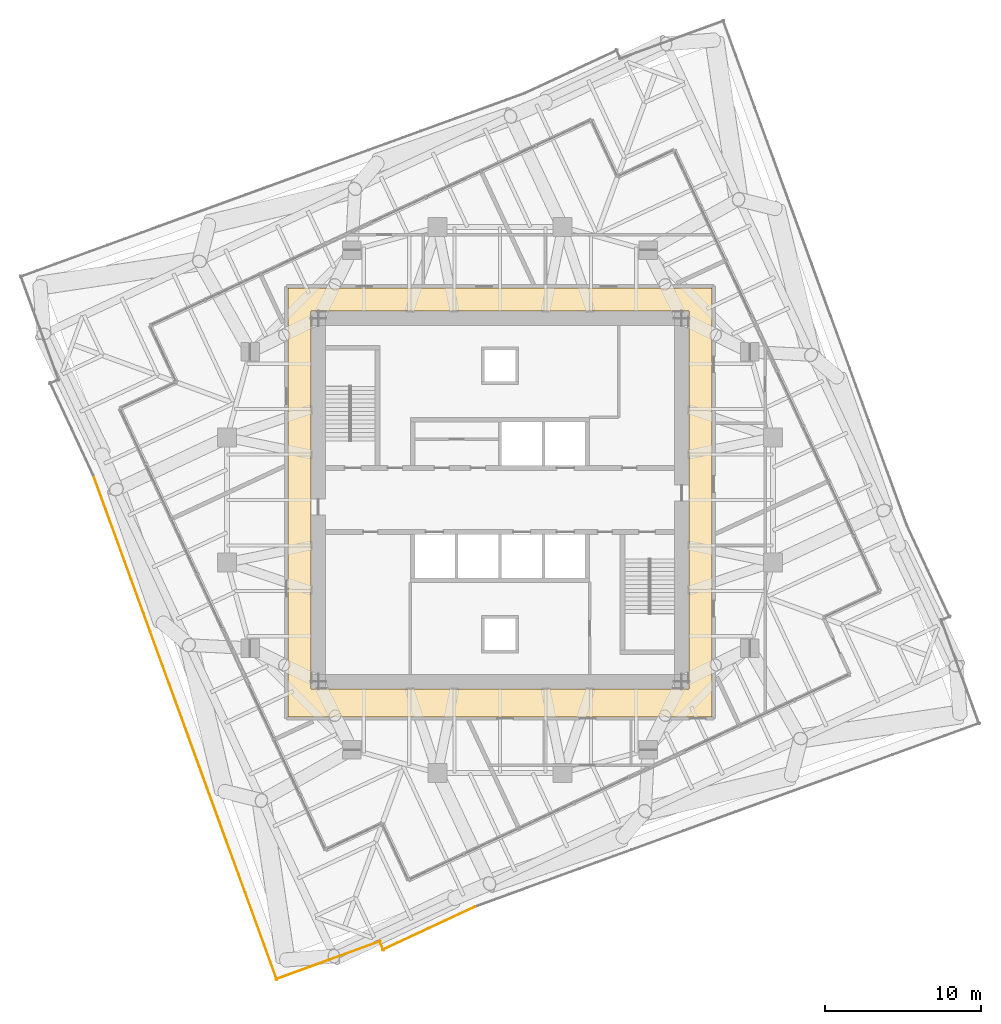
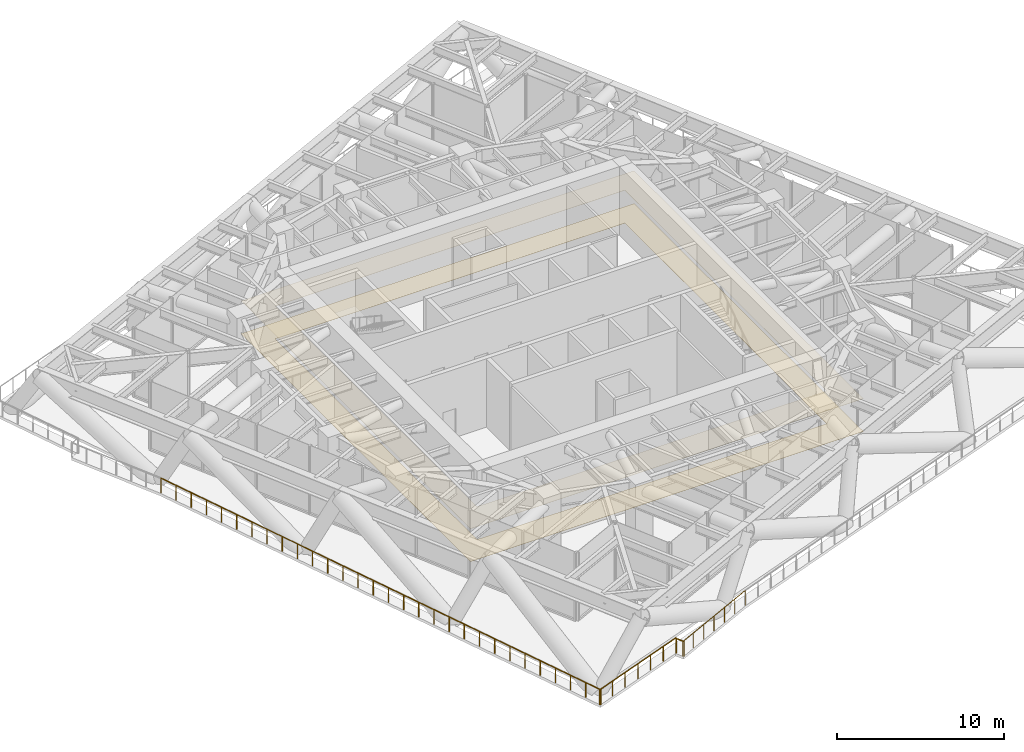
# One storey, part 13 of 16: 4 railings, 2 coverings.
"""IFC4 building model written with IfcOpenShell, lengths in metres."""

import ifcopenshell
import ifcopenshell.guid

model = None  # the IFC model being written
_history = None  # IfcOwnerHistory: only IFC2X3 demands one
_inside = {}  # id of a spatial element -> (the spatial element, [elements in it])
_under = {}  # id of a project, library or spatial element -> (it, [spatial elements below it])
_declared = {}  # id of a project -> (the project, [libraries it declares])
_typed = {}  # id of a type object -> (the type object, [elements of that type])
_made_of = {}  # id of a material, layer set ... -> (it, [elements and type objects made of it])


def new_model(schema):
    """Start an empty IFC model of exactly this schema.

    Asked for "IFC4X3", IfcOpenShell would pick the latest addendum, in which some entities
    have other attributes; the version numbers below select the first issue.
    IFC2X3 requires an IfcOwnerHistory on every rooted entity: one is made here for all.
    """
    global model, _history
    if schema == "IFC4X3":
        model = ifcopenshell.file(schema_version=(4, 3, 0, 0))
    else:
        model = ifcopenshell.file(schema=schema)
    _inside.clear()
    _under.clear()
    _declared.clear()
    _typed.clear()
    _made_of.clear()
    _history = None
    if model.schema == "IFC2X3":
        org = make("IfcOrganization", Name="unknown")
        user = make(
            "IfcPersonAndOrganization",
            ThePerson=make("IfcPerson", FamilyName="unknown"),
            TheOrganization=org,
        )
        app = make(
            "IfcApplication",
            ApplicationDeveloper=org,
            Version="unknown",
            ApplicationFullName="unknown",
            ApplicationIdentifier="unknown",
        )
        _history = make(
            "IfcOwnerHistory",
            OwningUser=user,
            OwningApplication=app,
            ChangeAction="ADDED",
            CreationDate=0,
        )
    return model


def make(cls, **values):
    """One entity of the class cls with the attributes given. An attribute that is None is left unset."""
    return model.create_entity(
        cls, **{name: value for name, value in values.items() if value is not None}
    )


def rooted(cls, **values):
    """An entity with a GlobalId (a new one), such as an element, a storey or a relation."""
    return make(cls, GlobalId=ifcopenshell.guid.new(), OwnerHistory=_history, **values)


def si_unit(unit_type, name, prefix=None):
    """IfcSIUnit, for example si_unit("LENGTHUNIT", "METRE", prefix="MILLI")."""
    return make("IfcSIUnit", UnitType=unit_type, Prefix=prefix, Name=name)


def assignment(units):
    """IfcUnitAssignment: the units of a project."""
    return None if units is None else make("IfcUnitAssignment", Units=units)


def point(xyz):
    """IfcCartesianPoint."""
    return None if xyz is None else make("IfcCartesianPoint", Coordinates=xyz)


def direction(xyz):
    """IfcDirection."""
    return None if xyz is None else make("IfcDirection", DirectionRatios=xyz)


def frame(location, z_axis=None, x_axis=None):
    """IfcAxis2Placement3D, a coordinate frame: its origin and axes. An axis left out is left unset."""
    return make(
        "IfcAxis2Placement3D",
        Location=point(location),
        Axis=direction(z_axis),
        RefDirection=direction(x_axis),
    )


def frame_2d(location, x_axis=None):
    """IfcAxis2Placement2D, a coordinate frame in the plane: its origin and x axis."""
    return make(
        "IfcAxis2Placement2D", Location=point(location), RefDirection=direction(x_axis)
    )


def origin():
    """The frame at (0, 0, 0) with its axes left unset."""
    return frame((0.0, 0.0, 0.0))


def origin_2d():
    """The frame at (0, 0) in the plane with its x axis left unset."""
    return frame_2d((0.0, 0.0))


def place(relative_to, where):
    """IfcLocalPlacement: puts the frame where relative to a parent placement (None: the world)."""
    return make(
        "IfcLocalPlacement", PlacementRelTo=relative_to, RelativePlacement=where
    )


def context(
    kind, dimensions, precision=None, world=None, true_north=None, identifier=None
):
    """IfcGeometricRepresentationContext, for example the 3D "Model" context."""
    return make(
        "IfcGeometricRepresentationContext",
        ContextIdentifier=identifier,
        ContextType=kind,
        CoordinateSpaceDimension=dimensions,
        Precision=precision,
        WorldCoordinateSystem=world,
        TrueNorth=true_north,
    )


def subcontext(parent, identifier, kind, view, scale=None):
    """IfcGeometricRepresentationSubContext, for example "Body" below "Model"."""
    return make(
        "IfcGeometricRepresentationSubContext",
        ContextIdentifier=identifier,
        ContextType=kind,
        ParentContext=parent,
        TargetScale=scale,
        TargetView=view,
    )


def project(units=None, contexts=None):
    """IfcProject with its units and contexts."""
    return rooted(
        "IfcProject",
        Name="project",
        RepresentationContexts=contexts,
        UnitsInContext=assignment(units),
    )


def spatial(cls, under=None, at=None, **own):
    """A site, building, storey or space (cls), placed at a placement, below another one or the project."""
    s = rooted(cls, ObjectPlacement=at, **own)
    if under is not None:
        _under.setdefault(under.id(), (under, []))[1].append(s)
    return s


def polyline(points):
    """IfcPolyline through the points."""
    return make("IfcPolyline", Points=[point(p) for p in points])


def profile(cls, at=None, kind="AREA", **sizes):
    """A parametric profile (cls). Its sizes go by their IFC names, for example OverallWidth=200.0."""
    return make(cls, ProfileType=kind, Position=at, **sizes)


def circle(**sizes):
    """IfcCircleProfileDef."""
    return profile("IfcCircleProfileDef", **sizes)


def outline(outer, holes=None, kind="AREA"):
    """IfcArbitraryClosedProfileDef: a profile drawn as a closed curve; with holes, ...WithVoids."""
    if holes is None:
        return make("IfcArbitraryClosedProfileDef", ProfileType=kind, OuterCurve=outer)
    return make(
        "IfcArbitraryProfileDefWithVoids",
        ProfileType=kind,
        OuterCurve=outer,
        InnerCurves=holes,
    )


def extrude(swept, where, along, depth):
    """IfcExtrudedAreaSolid: the profile swept, set in the frame where, extruded along a direction by depth."""
    return make(
        "IfcExtrudedAreaSolid",
        SweptArea=swept,
        Position=where,
        ExtrudedDirection=direction(along),
        Depth=depth,
    )


def shape(context_of_items, identifier, shape_type, items):
    """IfcShapeRepresentation: the items that make up one representation, for example the "Body"."""
    return make(
        "IfcShapeRepresentation",
        ContextOfItems=context_of_items,
        RepresentationIdentifier=identifier,
        RepresentationType=shape_type,
        Items=items,
    )


def material(Name=None, Category=None):
    """IfcMaterial."""
    return make("IfcMaterial", Name=Name, Category=Category)


def layer(
    of_material, thickness, ventilated=None, Name=None, Category=None, Priority=None
):
    """IfcMaterialLayer: one layer of a wall or slab, of a material (None: an air gap)."""
    return make(
        "IfcMaterialLayer",
        Material=of_material,
        LayerThickness=thickness,
        IsVentilated=ventilated,
        Name=Name,
        Category=Category,
        Priority=Priority,
    )


def layer_set(layers, Name=None):
    """IfcMaterialLayerSet."""
    return make("IfcMaterialLayerSet", MaterialLayers=layers, LayerSetName=Name)


def made_of(thing, what):
    """Note that an element or type object is made of a material, layer set ...; save() writes the relation."""
    if what is not None:
        _made_of.setdefault(what.id(), (what, []))[1].append(thing)
    return thing


def type_object(cls, material=None, **own):
    """A type object (cls), such as IfcWallType, which elements share."""
    return made_of(rooted(cls, **own), material)


def element(
    cls,
    number,
    at=None,
    inside=None,
    cuts=None,
    type_object=None,
    material=None,
    context=None,
    identifier="Body",
    shape_type=None,
    held_by="IfcProductDefinitionShape",
    body=None,
    shapes=None,
    **own,
):
    """One element of the class cls, such as IfcWall. Its Tag is "e" and its number.

    at: its placement. inside: the storey or other place that contains it. cuts: it is an
    opening in that element (IfcRelVoidsElement). A single representation is given by context,
    identifier, shape_type and body (its items); several are given by shapes. held_by: the class
    of the entity that holds the representations. save() writes the other relations.
    """
    e = rooted(cls, Tag="e%d" % number, ObjectPlacement=at, **own)
    if body is not None:
        shapes = [shape(context, identifier, shape_type, body)]
    if shapes is not None:
        e.Representation = make(held_by, Representations=shapes)
    if inside is not None:
        _inside.setdefault(inside.id(), (inside, []))[1].append(e)
    if cuts is not None:
        rooted(
            "IfcRelVoidsElement", RelatingBuildingElement=cuts, RelatedOpeningElement=e
        )
    if type_object is not None:
        _typed.setdefault(type_object.id(), (type_object, []))[1].append(e)
    return made_of(e, material)


def aggregate(whole, parts):
    """IfcRelAggregates: a whole, such as a stair, and the parts it consists of."""
    return rooted("IfcRelAggregates", RelatingObject=whole, RelatedObjects=parts)


def save(model, path):
    """Write the relations noted so far, then the file.

    IfcRelAggregates (storeys below a building ...), IfcRelContainedInSpatialStructure (elements
    in a storey), IfcRelDefinesByType, IfcRelAssociatesMaterial and IfcRelDeclares: one each for
    every whole, place, type object, material and project.
    """
    for whole, parts in _under.values():
        aggregate(whole, parts)
    for where, things in _inside.values():
        rooted(
            "IfcRelContainedInSpatialStructure",
            RelatedElements=things,
            RelatingStructure=where,
        )
    for kind, things in _typed.values():
        rooted("IfcRelDefinesByType", RelatedObjects=things, RelatingType=kind)
    for what, things in _made_of.values():
        rooted("IfcRelAssociatesMaterial", RelatedObjects=things, RelatingMaterial=what)
    for by, libraries in _declared.values():
        rooted("IfcRelDeclares", RelatingContext=by, RelatedDefinitions=libraries)
    model.write(path)


model = new_model("IFC4")

# Units and contexts
model_context = context("Model", 3, precision=1e-05, world=origin(), true_north=direction((0.0, 1.0)))
body_context = subcontext(model_context, "Body", "Model", "MODEL_VIEW")
ifc_project = project(units=[si_unit("LENGTHUNIT", "METRE"), si_unit("AREAUNIT", "SQUARE_METRE"), si_unit("VOLUMEUNIT", "CUBIC_METRE"), si_unit("PLANEANGLEUNIT", "RADIAN"), si_unit("MASSUNIT", "GRAM", prefix="KILO")], contexts=[model_context])

# Site, building, storey
site_placement = place(None, origin())
site = spatial("IfcSite", under=ifc_project, at=site_placement, CompositionType="ELEMENT")
building_placement = place(site_placement, origin())
building = spatial("IfcBuilding", under=site, at=building_placement, Name="Torsade Residences", CompositionType="ELEMENT")
storey_placement = place(building_placement, frame((0.0, 0.0, 171.0)))
storey = spatial("IfcBuildingStorey", under=building, at=storey_placement, Name="L47", CompositionType="ELEMENT", Elevation=171.0)

# Coverings
ifc_material_1 = material(Name="Nylon carpet tile on underlay", Category="textile")
ifc_layer_1 = layer(ifc_material_1, 0.010009765625)
ifc_layer_set_1 = layer_set([ifc_layer_1], Name="Nylon carpet tile on underlay")
covering_type_1 = type_object("IfcCoveringType", Name="CORRIDOR CARPET TILE 10", PredefinedType="FLOORING", material=ifc_layer_set_1)
covering_1_placement = place(storey_placement, origin())
element("IfcCovering", 1, at=covering_1_placement, inside=storey, type_object=covering_type_1, Name="Corridor carpet L47", PredefinedType="FLOORING", context=body_context, shape_type="SweptSolid", body=[
    extrude(outline(polyline([(26.39990234375, 16.10009765625), (53.60009765625, 16.10009765625), (53.60009765625, 43.60009765625), (26.39990234375, 43.60009765625), (26.39990234375, 16.10009765625)]), holes=[polyline([(27.89990234375, 42.10009765625), (27.89990234375, 17.89990234375), (52.10009765625, 17.89990234375), (52.10009765625, 42.10009765625), (27.89990234375, 42.10009765625)])]), origin(), (0.0, 0.0, 1.0), 0.010009765625),
])
ifc_material_2 = material(Name="Plasterboard on suspended steel grid", Category="steel")
ifc_layer_2 = layer(ifc_material_2, 0.012939453125)
ifc_layer_set_2 = layer_set([ifc_layer_2], Name="Plasterboard on suspended steel grid")
covering_type_2 = type_object("IfcCoveringType", Name="CORRIDOR SUSPENDED CEILING 13", PredefinedType="CEILING", material=ifc_layer_set_2)
covering_2_placement = place(storey_placement, frame((0.0, 0.0, 2.39990234375)))
element("IfcCovering", 2, at=covering_2_placement, inside=storey, type_object=covering_type_2, Name="Corridor ceiling L47", PredefinedType="CEILING", context=body_context, shape_type="SweptSolid", body=[
    extrude(outline(polyline([(26.39990234375, 16.10009765625), (53.60009765625, 16.10009765625), (53.60009765625, 43.60009765625), (26.39990234375, 43.60009765625), (26.39990234375, 16.10009765625)]), holes=[polyline([(27.89990234375, 42.10009765625), (27.89990234375, 17.89990234375), (52.10009765625, 17.89990234375), (52.10009765625, 42.10009765625), (27.89990234375, 42.10009765625)])]), origin(), (0.0, 0.0, 1.0), 0.01318359375),
])

# Railings
ifc_material_3 = material(Name="Galvanised steel guard rail", Category="steel")
railing_type = type_object("IfcRailingType", Name="ROOF EDGE GUARD 1100", PredefinedType="GUARDRAIL", material=ifc_material_3)
railing_1_placement = place(storey_placement, frame((32.304443359375, 1.663330078125, 0.0)))
element("IfcRailing", 3, at=railing_1_placement, inside=storey, type_object=railing_type, Name="Roof edge guard L47 1", PredefinedType="GUARDRAIL", context=body_context, shape_type="SweptSolid", body=[
    extrude(circle(Radius=0.02392578125, at=origin_2d()), frame((0.0, 0.0, 1.076171875), z_axis=(0.422744915894, -0.90624871646, 0.0), x_axis=(0.90624871646, 0.422744915894, 0.0)), (0.0, 0.0, 1.0), 0.570556640625),
    extrude(circle(Radius=0.02099609375, at=origin_2d()), origin(), (0.0, 0.0, 1.0), 1.052001953125),
    extrude(circle(Radius=0.02099609375, at=origin_2d()), frame((0.2412109375, -0.51708984375, 0.0)), (0.0, 0.0, 1.0), 1.052001953125),
])
railing_2_placement = place(storey_placement, frame((32.479248046875, 1.17041015625, 0.0)))
element("IfcRailing", 4, at=railing_2_placement, inside=storey, type_object=railing_type, Name="Roof edge guard L47 2", PredefinedType="GUARDRAIL", context=body_context, shape_type="SweptSolid", body=[
    extrude(circle(Radius=0.02392578125, at=origin_2d()), frame((0.0, 0.0, 1.076171875), z_axis=(0.906303516466, 0.422627419888, 0.0), x_axis=(-0.422627419888, 0.906303516466, 0.0)), (0.0, 0.0, 1.0), 6.526611328125),
    extrude(circle(Radius=0.02099609375, at=origin_2d()), origin(), (0.0, 0.0, 1.0), 1.052001953125),
    extrude(circle(Radius=0.02099609375, at=origin_2d()), frame((0.98583984375, 0.459716796875, 0.0)), (0.0, 0.0, 1.0), 1.052001953125),
    extrude(circle(Radius=0.02099609375, at=origin_2d()), frame((1.9716796875, 0.91943359375, 0.0)), (0.0, 0.0, 1.0), 1.052001953125),
    extrude(circle(Radius=0.02099609375, at=origin_2d()), frame((2.95751953125, 1.379150390625, 0.0)), (0.0, 0.0, 1.0), 1.052001953125),
    extrude(circle(Radius=0.02099609375, at=origin_2d()), frame((3.943359375, 1.8388671875, 0.0)), (0.0, 0.0, 1.0), 1.052001953125),
    extrude(circle(Radius=0.02099609375, at=origin_2d()), frame((4.92919921875, 2.298583984375, 0.0)), (0.0, 0.0, 1.0), 1.052001953125),
    extrude(circle(Radius=0.02099609375, at=origin_2d()), frame((5.9150390625, 2.75830078125, 0.0)), (0.0, 0.0, 1.0), 1.052001953125),
])
railing_3_placement = place(storey_placement, frame((13.928466796875, 31.605712890625, 0.0)))
element("IfcRailing", 5, at=railing_3_placement, inside=storey, type_object=railing_type, Name="Roof edge guard L47 15", PredefinedType="GUARDRAIL", context=body_context, shape_type="SweptSolid", body=[
    extrude(circle(Radius=0.02392578125, at=origin_2d()), frame((0.0, 0.0, 1.076171875), z_axis=(0.342023199778, -0.939691508323, 0.0), x_axis=(0.939691508323, 0.342023199778, 0.0)), (0.0, 0.0, 1.0), 34.42578125),
    extrude(circle(Radius=0.02099609375, at=origin_2d()), origin(), (0.0, 0.0, 1.0), 1.052001953125),
    extrude(circle(Radius=0.02099609375, at=origin_2d()), frame((0.406005859375, -1.115478515625, 0.0)), (0.0, 0.0, 1.0), 1.052001953125),
    extrude(circle(Radius=0.02099609375, at=origin_2d()), frame((0.81201171875, -2.23095703125, 0.0)), (0.0, 0.0, 1.0), 1.052001953125),
    extrude(circle(Radius=0.02099609375, at=origin_2d()), frame((1.218017578125, -3.346435546875, 0.0)), (0.0, 0.0, 1.0), 1.052001953125),
    extrude(circle(Radius=0.02099609375, at=origin_2d()), frame((1.6240234375, -4.4619140625, 0.0)), (0.0, 0.0, 1.0), 1.052001953125),
    extrude(circle(Radius=0.02099609375, at=origin_2d()), frame((2.030029296875, -5.57763671875, 0.0)), (0.0, 0.0, 1.0), 1.052001953125),
    extrude(circle(Radius=0.02099609375, at=origin_2d()), frame((2.43603515625, -6.693115234375, 0.0)), (0.0, 0.0, 1.0), 1.052001953125),
    extrude(circle(Radius=0.02099609375, at=origin_2d()), frame((2.842041015625, -7.80859375, 0.0)), (0.0, 0.0, 1.0), 1.052001953125),
    extrude(circle(Radius=0.02099609375, at=origin_2d()), frame((3.248046875, -8.924072265625, 0.0)), (0.0, 0.0, 1.0), 1.052001953125),
    extrude(circle(Radius=0.02099609375, at=origin_2d()), frame((3.654052734375, -10.03955078125, 0.0)), (0.0, 0.0, 1.0), 1.052001953125),
    extrude(circle(Radius=0.02099609375, at=origin_2d()), frame((4.06005859375, -11.155029296875, 0.0)), (0.0, 0.0, 1.0), 1.052001953125),
    extrude(circle(Radius=0.02099609375, at=origin_2d()), frame((4.466064453125, -12.2705078125, 0.0)), (0.0, 0.0, 1.0), 1.052001953125),
    extrude(circle(Radius=0.02099609375, at=origin_2d()), frame((4.8720703125, -13.385986328125, 0.0)), (0.0, 0.0, 1.0), 1.052001953125),
    extrude(circle(Radius=0.02099609375, at=origin_2d()), frame((5.278076171875, -14.50146484375, 0.0)), (0.0, 0.0, 1.0), 1.052001953125),
    extrude(circle(Radius=0.02099609375, at=origin_2d()), frame((5.68408203125, -15.616943359375, 0.0)), (0.0, 0.0, 1.0), 1.052001953125),
    extrude(circle(Radius=0.02099609375, at=origin_2d()), frame((6.09033203125, -16.732666015625, 0.0)), (0.0, 0.0, 1.0), 1.052001953125),
    extrude(circle(Radius=0.02099609375, at=origin_2d()), frame((6.496337890625, -17.84814453125, 0.0)), (0.0, 0.0, 1.0), 1.052001953125),
    extrude(circle(Radius=0.02099609375, at=origin_2d()), frame((6.90234375, -18.963623046875, 0.0)), (0.0, 0.0, 1.0), 1.052001953125),
    extrude(circle(Radius=0.02099609375, at=origin_2d()), frame((7.308349609375, -20.0791015625, 0.0)), (0.0, 0.0, 1.0), 1.052001953125),
    extrude(circle(Radius=0.02099609375, at=origin_2d()), frame((7.71435546875, -21.194580078125, 0.0)), (0.0, 0.0, 1.0), 1.052001953125),
    extrude(circle(Radius=0.02099609375, at=origin_2d()), frame((8.120361328125, -22.31005859375, 0.0)), (0.0, 0.0, 1.0), 1.052001953125),
    extrude(circle(Radius=0.02099609375, at=origin_2d()), frame((8.5263671875, -23.425537109375, 0.0)), (0.0, 0.0, 1.0), 1.052001953125),
    extrude(circle(Radius=0.02099609375, at=origin_2d()), frame((8.932373046875, -24.541015625, 0.0)), (0.0, 0.0, 1.0), 1.052001953125),
    extrude(circle(Radius=0.02099609375, at=origin_2d()), frame((9.33837890625, -25.656494140625, 0.0)), (0.0, 0.0, 1.0), 1.052001953125),
    extrude(circle(Radius=0.02099609375, at=origin_2d()), frame((9.744384765625, -26.77197265625, 0.0)), (0.0, 0.0, 1.0), 1.052001953125),
    extrude(circle(Radius=0.02099609375, at=origin_2d()), frame((10.150390625, -27.8876953125, 0.0)), (0.0, 0.0, 1.0), 1.052001953125),
    extrude(circle(Radius=0.02099609375, at=origin_2d()), frame((10.556396484375, -29.003173828125, 0.0)), (0.0, 0.0, 1.0), 1.052001953125),
    extrude(circle(Radius=0.02099609375, at=origin_2d()), frame((10.96240234375, -30.11865234375, 0.0)), (0.0, 0.0, 1.0), 1.052001953125),
    extrude(circle(Radius=0.02099609375, at=origin_2d()), frame((11.368408203125, -31.234130859375, 0.0)), (0.0, 0.0, 1.0), 1.052001953125),
    extrude(circle(Radius=0.02099609375, at=origin_2d()), frame((11.7744140625, -32.349609375, 0.0)), (0.0, 0.0, 1.0), 1.052001953125),
])
railing_4_placement = place(storey_placement, frame((25.638671875, -0.714111328125, 0.0)))
element("IfcRailing", 6, at=railing_4_placement, inside=storey, type_object=railing_type, Name="Roof edge guard L47 16", PredefinedType="GUARDRAIL", context=body_context, shape_type="SweptSolid", body=[
    extrude(circle(Radius=0.02392578125, at=origin_2d()), frame((0.0, 0.0, 1.076171875), z_axis=(0.939690244567, 0.342026671864, 0.0), x_axis=(-0.342026671864, 0.939690244567, 0.0)), (0.0, 0.0, 1.0), 7.118896484375),
    extrude(circle(Radius=0.02099609375, at=origin_2d()), origin(), (0.0, 0.0, 1.0), 1.052001953125),
    extrude(circle(Radius=0.02099609375, at=origin_2d()), frame((1.114990234375, 0.40576171875, 0.0)), (0.0, 0.0, 1.0), 1.052001953125),
    extrude(circle(Radius=0.02099609375, at=origin_2d()), frame((2.229736328125, 0.8115234375, 0.0)), (0.0, 0.0, 1.0), 1.052001953125),
    extrude(circle(Radius=0.02099609375, at=origin_2d()), frame((3.3447265625, 1.21728515625, 0.0)), (0.0, 0.0, 1.0), 1.052001953125),
    extrude(circle(Radius=0.02099609375, at=origin_2d()), frame((4.459716796875, 1.623291015625, 0.0)), (0.0, 0.0, 1.0), 1.052001953125),
    extrude(circle(Radius=0.02099609375, at=origin_2d()), frame((5.574462890625, 2.029052734375, 0.0)), (0.0, 0.0, 1.0), 1.052001953125),
    extrude(circle(Radius=0.02099609375, at=origin_2d()), frame((6.689453125, 2.434814453125, 0.0)), (0.0, 0.0, 1.0), 1.052001953125),
])

save(model, "model.ifc")
